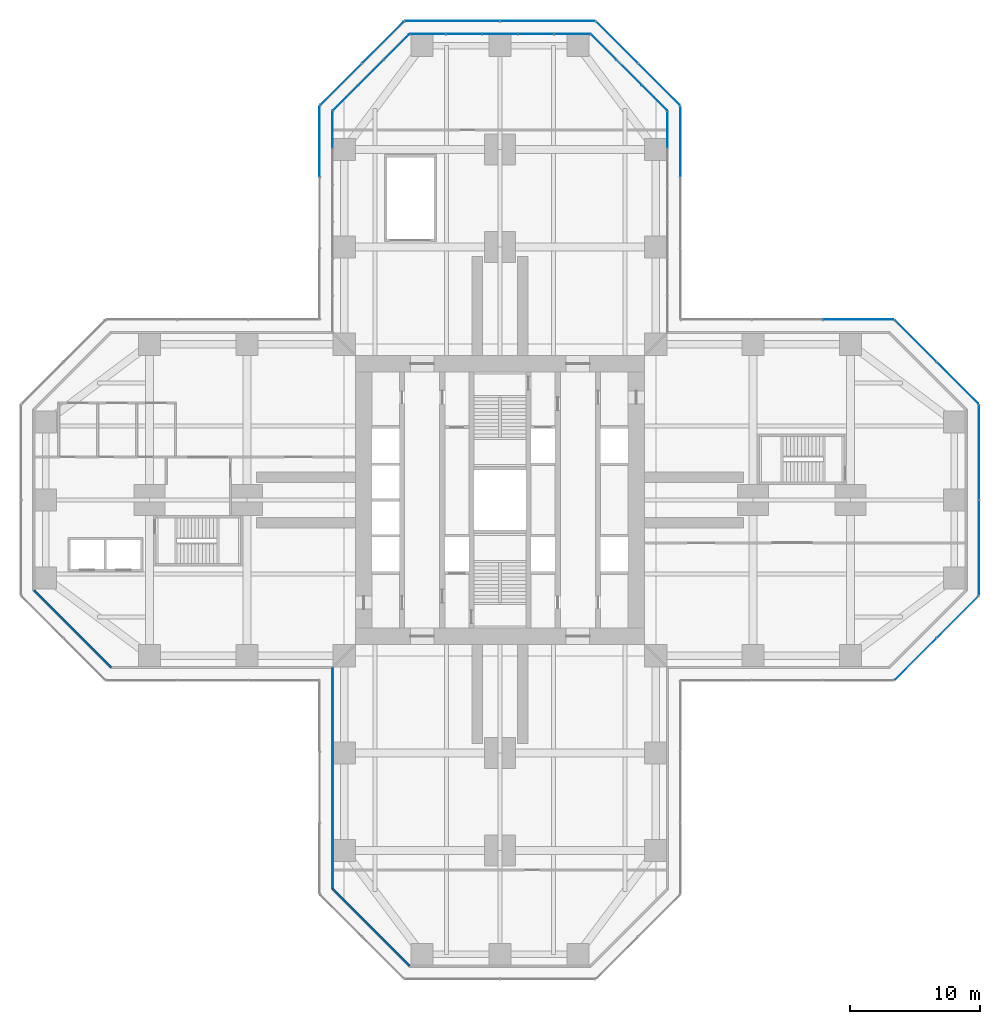
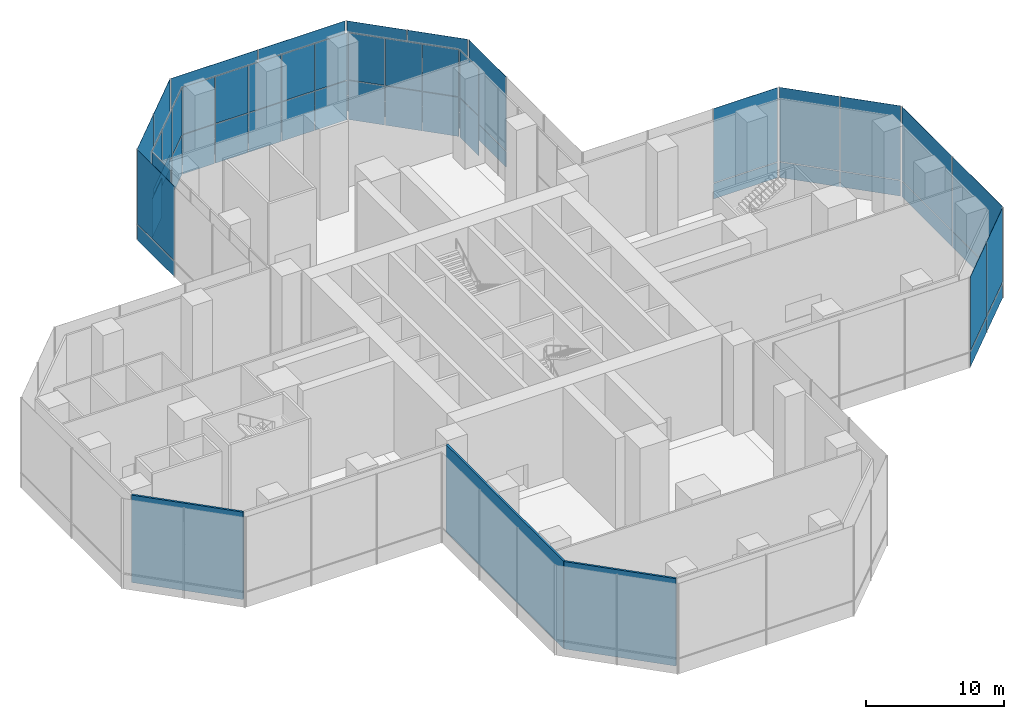
# One storey, part 16 of 25: 56 plates, 3 walls, 14 elements without a shape of their own.
"""IFC4 building model written with IfcOpenShell, lengths in metres."""

from ifc_helpers import new_model, si_unit, direction, frame, frame_2d, origin, origin_2d, place, context, subcontext, project, spatial, rectangle, extrude, material, layer, layer_set, type_object, element, aggregate, save


model = new_model("IFC4")

# Units and contexts
model_context = context("Model", 3, precision=1e-05, world=origin(), true_north=direction((0.0, 1.0)))
body_context = subcontext(model_context, "Body", "Model", "MODEL_VIEW")
ifc_project = project(units=[si_unit("LENGTHUNIT", "METRE"), si_unit("AREAUNIT", "SQUARE_METRE"), si_unit("VOLUMEUNIT", "CUBIC_METRE"), si_unit("PLANEANGLEUNIT", "RADIAN"), si_unit("MASSUNIT", "GRAM", prefix="KILO")], contexts=[model_context])

# Site, building, storey
site_placement = place(None, origin())
site = spatial("IfcSite", under=ifc_project, at=site_placement, CompositionType="ELEMENT")
building_placement = place(site_placement, origin())
building = spatial("IfcBuilding", under=site, at=building_placement, Name="Mizan Broadcast Tower", CompositionType="ELEMENT")
storey_placement = place(building_placement, frame((0.0, 0.0, 15.0)))
storey = spatial("IfcBuildingStorey", under=building, at=storey_placement, Name="L02", CompositionType="ELEMENT", Elevation=15.0)

# Curtain wall, plates
ifc_material_1 = material(Name="Aluminium framed glazing", Category="aluminium")
curtain_wall_type_1 = type_object("IfcCurtainWallType", Name="OUTER SKIN", PredefinedType="USERDEFINED", material=ifc_material_1)
curtain_wall_1_placement = place(storey_placement, origin())
curtain_wall_1 = element("IfcCurtainWall", 1, at=curtain_wall_1_placement, inside=storey, type_object=curtain_wall_type_1, Name="Outer skin L02 E chamfer", ObjectType="OUTER SKIN", PredefinedType="USERDEFINED")
ifc_material_2 = material(Name="Laminated clear glass", Category="glass")
ifc_layer_1 = layer(ifc_material_2, 0.02001953125)
ifc_layer_set_1 = layer_set([ifc_layer_1], Name="Laminated clear glass")
plate_type_1 = type_object("IfcPlateType", Name="OUTER SKIN CLEAR GLASS", PredefinedType="CURTAIN_PANEL", material=ifc_layer_set_1)
plate_1_placement = place(storey_placement, frame((32.018798828125, -12.254150390625, 0.0), z_axis=(0.0, 0.0, 1.0), x_axis=(0.707106781187, 0.707106781187, 0.0)))
plate_1 = element("IfcPlate", 2, at=plate_1_placement, type_object=plate_type_1, Name="Outer skin L02 E chamfer panel 1.1", PredefinedType="CURTAIN_PANEL", context=body_context, shape_type="SweptSolid", body=[
    extrude(rectangle(XDim=4.495361328125, YDim=0.02001953125, at=origin_2d()), origin(), (0.0, 0.0, 1.0), 1.3701171875),
])
plate_2_placement = place(storey_placement, frame((32.018798828125, -12.254150390625, 1.43017578125), z_axis=(0.0, 0.0, 1.0), x_axis=(0.707106781187, 0.707106781187, 0.0)))
plate_2 = element("IfcPlate", 3, at=plate_2_placement, type_object=plate_type_1, Name="Outer skin L02 E chamfer panel 1.2", PredefinedType="CURTAIN_PANEL", context=body_context, shape_type="SweptSolid", body=[
    extrude(rectangle(XDim=4.495361328125, YDim=0.02001953125, at=origin_2d()), origin(), (0.0, 0.0, 1.0), 6.570068359375),
])

curtain_wall_2_placement = place(storey_placement, origin())
curtain_wall_2 = element("IfcCurtainWall", 4, at=curtain_wall_2_placement, inside=storey, type_object=curtain_wall_type_1, Name="Outer skin L02 E end", ObjectType="OUTER SKIN", PredefinedType="USERDEFINED")
plate_3_placement = place(storey_placement, frame((36.89990234375, -3.66650390625, 0.0), z_axis=(0.0, 0.0, 1.0), x_axis=(0.0, 1.0, 0.0)))
plate_3 = element("IfcPlate", 5, at=plate_3_placement, type_object=plate_type_1, Name="Outer skin L02 E end panel 1.1", PredefinedType="CURTAIN_PANEL", context=body_context, shape_type="SweptSolid", body=[
    extrude(rectangle(XDim=7.252685546875, YDim=0.02001953125, at=origin_2d()), origin(), (0.0, 0.0, 1.0), 1.3701171875),
])
plate_4_placement = place(storey_placement, frame((36.89990234375, -3.66650390625, 1.43017578125), z_axis=(0.0, 0.0, 1.0), x_axis=(0.0, 1.0, 0.0)))
plate_4 = element("IfcPlate", 6, at=plate_4_placement, type_object=plate_type_1, Name="Outer skin L02 E end panel 1.2", PredefinedType="CURTAIN_PANEL", context=body_context, shape_type="SweptSolid", body=[
    extrude(rectangle(XDim=7.252685546875, YDim=0.02001953125, at=origin_2d()), origin(), (0.0, 0.0, 1.0), 6.570068359375),
])

curtain_wall_3_placement = place(storey_placement, origin())
curtain_wall_3 = element("IfcCurtainWall", 7, at=curtain_wall_3_placement, inside=storey, type_object=curtain_wall_type_1, Name="Outer skin L02 E chamfer", ObjectType="OUTER SKIN", PredefinedType="USERDEFINED")
plate_5_placement = place(storey_placement, frame((35.254150390625, 9.018798828125, 0.0), z_axis=(0.0, 0.0, 1.0), x_axis=(-0.707106781187, 0.707106781187, 0.0)))
plate_5 = element("IfcPlate", 8, at=plate_5_placement, type_object=plate_type_1, Name="Outer skin L02 E chamfer panel 1.1", PredefinedType="CURTAIN_PANEL", context=body_context, shape_type="SweptSolid", body=[
    extrude(rectangle(XDim=4.495361328125, YDim=0.02001953125, at=origin_2d()), origin(), (0.0, 0.0, 1.0), 1.3701171875),
])
plate_6_placement = place(storey_placement, frame((35.254150390625, 9.018798828125, 1.43017578125), z_axis=(0.0, 0.0, 1.0), x_axis=(-0.707106781187, 0.707106781187, 0.0)))
plate_6 = element("IfcPlate", 9, at=plate_6_placement, type_object=plate_type_1, Name="Outer skin L02 E chamfer panel 1.2", PredefinedType="CURTAIN_PANEL", context=body_context, shape_type="SweptSolid", body=[
    extrude(rectangle(XDim=4.495361328125, YDim=0.02001953125, at=origin_2d()), origin(), (0.0, 0.0, 1.0), 6.570068359375),
])

curtain_wall_4_placement = place(storey_placement, origin())
curtain_wall_4 = element("IfcCurtainWall", 10, at=curtain_wall_4_placement, inside=storey, type_object=curtain_wall_type_1, Name="Outer skin L02 E side", ObjectType="OUTER SKIN", PredefinedType="USERDEFINED")
plate_7_placement = place(storey_placement, frame((27.607421875, 13.89990234375, 0.0), z_axis=(0.0, 0.0, 1.0), x_axis=(-1.0, 0.0, 0.0)))
plate_7 = element("IfcPlate", 11, at=plate_7_placement, type_object=plate_type_1, Name="Outer skin L02 E side panel 1.1", PredefinedType="CURTAIN_PANEL", context=body_context, shape_type="SweptSolid", body=[
    extrude(rectangle(XDim=5.370849609375, YDim=0.02001953125, at=origin_2d()), origin(), (0.0, 0.0, 1.0), 1.3701171875),
])
plate_8_placement = place(storey_placement, frame((27.607421875, 13.89990234375, 1.43017578125), z_axis=(0.0, 0.0, 1.0), x_axis=(-1.0, 0.0, 0.0)))
plate_8 = element("IfcPlate", 12, at=plate_8_placement, type_object=plate_type_1, Name="Outer skin L02 E side panel 1.2", PredefinedType="CURTAIN_PANEL", context=body_context, shape_type="SweptSolid", body=[
    extrude(rectangle(XDim=5.370849609375, YDim=0.02001953125, at=origin_2d()), origin(), (0.0, 0.0, 1.0), 6.570068359375),
])
aggregate(curtain_wall_4, [plate_7, plate_8])

curtain_wall_5_placement = place(storey_placement, origin())
curtain_wall_5 = element("IfcCurtainWall", 13, at=curtain_wall_5_placement, inside=storey, type_object=curtain_wall_type_1, Name="Outer skin L02 N side", ObjectType="OUTER SKIN", PredefinedType="USERDEFINED")
plate_9_placement = place(storey_placement, frame((13.89990234375, 27.607421875, 0.0), z_axis=(0.0, 0.0, 1.0), x_axis=(0.0, 1.0, 0.0)))
plate_9 = element("IfcPlate", 14, at=plate_9_placement, type_object=plate_type_1, Name="Outer skin L02 N side panel 3.1", PredefinedType="CURTAIN_PANEL", context=body_context, shape_type="SweptSolid", body=[
    extrude(rectangle(XDim=5.370849609375, YDim=0.02001953125, at=origin_2d()), origin(), (0.0, 0.0, 1.0), 1.3701171875),
])
plate_10_placement = place(storey_placement, frame((13.89990234375, 27.607421875, 1.43017578125), z_axis=(0.0, 0.0, 1.0), x_axis=(0.0, 1.0, 0.0)))
plate_10 = element("IfcPlate", 15, at=plate_10_placement, type_object=plate_type_1, Name="Outer skin L02 N side panel 3.2", PredefinedType="CURTAIN_PANEL", context=body_context, shape_type="SweptSolid", body=[
    extrude(rectangle(XDim=5.370849609375, YDim=0.02001953125, at=origin_2d()), origin(), (0.0, 0.0, 1.0), 6.570068359375),
])
aggregate(curtain_wall_5, [plate_9, plate_10])

curtain_wall_6_placement = place(storey_placement, origin())
curtain_wall_6 = element("IfcCurtainWall", 16, at=curtain_wall_6_placement, inside=storey, type_object=curtain_wall_type_1, Name="Outer skin L02 N chamfer", ObjectType="OUTER SKIN", PredefinedType="USERDEFINED")
plate_11_placement = place(storey_placement, frame((12.254150390625, 32.018798828125, 0.0), z_axis=(0.0, 0.0, 1.0), x_axis=(-0.707106781187, 0.707106781187, 0.0)))
plate_11 = element("IfcPlate", 17, at=plate_11_placement, type_object=plate_type_1, Name="Outer skin L02 N chamfer panel 1.1", PredefinedType="CURTAIN_PANEL", context=body_context, shape_type="SweptSolid", body=[
    extrude(rectangle(XDim=4.495361328125, YDim=0.02001953125, at=origin_2d()), origin(), (0.0, 0.0, 1.0), 1.3701171875),
])
plate_12_placement = place(storey_placement, frame((12.254150390625, 32.018798828125, 1.43017578125), z_axis=(0.0, 0.0, 1.0), x_axis=(-0.707106781187, 0.707106781187, 0.0)))
plate_12 = element("IfcPlate", 18, at=plate_12_placement, type_object=plate_type_1, Name="Outer skin L02 N chamfer panel 1.2", PredefinedType="CURTAIN_PANEL", context=body_context, shape_type="SweptSolid", body=[
    extrude(rectangle(XDim=4.495361328125, YDim=0.02001953125, at=origin_2d()), origin(), (0.0, 0.0, 1.0), 6.570068359375),
])

curtain_wall_7_placement = place(storey_placement, origin())
curtain_wall_7 = element("IfcCurtainWall", 19, at=curtain_wall_7_placement, inside=storey, type_object=curtain_wall_type_1, Name="Outer skin L02 N end", ObjectType="OUTER SKIN", PredefinedType="USERDEFINED")
plate_13_placement = place(storey_placement, frame((3.66650390625, 36.89990234375, 0.0), z_axis=(0.0, 0.0, 1.0), x_axis=(-1.0, 0.0, 0.0)))
plate_13 = element("IfcPlate", 20, at=plate_13_placement, type_object=plate_type_1, Name="Outer skin L02 N end panel 1.1", PredefinedType="CURTAIN_PANEL", context=body_context, shape_type="SweptSolid", body=[
    extrude(rectangle(XDim=7.252685546875, YDim=0.02001953125, at=origin_2d()), origin(), (0.0, 0.0, 1.0), 1.3701171875),
])
plate_14_placement = place(storey_placement, frame((3.66650390625, 36.89990234375, 1.43017578125), z_axis=(0.0, 0.0, 1.0), x_axis=(-1.0, 0.0, 0.0)))
plate_14 = element("IfcPlate", 21, at=plate_14_placement, type_object=plate_type_1, Name="Outer skin L02 N end panel 1.2", PredefinedType="CURTAIN_PANEL", context=body_context, shape_type="SweptSolid", body=[
    extrude(rectangle(XDim=7.252685546875, YDim=0.02001953125, at=origin_2d()), origin(), (0.0, 0.0, 1.0), 6.570068359375),
])
plate_15_placement = place(storey_placement, frame((-3.66650390625, 36.89990234375, 0.0), z_axis=(0.0, 0.0, 1.0), x_axis=(-1.0, 0.0, 0.0)))
plate_15 = element("IfcPlate", 22, at=plate_15_placement, type_object=plate_type_1, Name="Outer skin L02 N end panel 2.1", PredefinedType="CURTAIN_PANEL", context=body_context, shape_type="SweptSolid", body=[
    extrude(rectangle(XDim=7.252685546875, YDim=0.02001953125, at=origin_2d()), origin(), (0.0, 0.0, 1.0), 1.3701171875),
])
plate_16_placement = place(storey_placement, frame((-3.66650390625, 36.89990234375, 1.43017578125), z_axis=(0.0, 0.0, 1.0), x_axis=(-1.0, 0.0, 0.0)))
plate_16 = element("IfcPlate", 23, at=plate_16_placement, type_object=plate_type_1, Name="Outer skin L02 N end panel 2.2", PredefinedType="CURTAIN_PANEL", context=body_context, shape_type="SweptSolid", body=[
    extrude(rectangle(XDim=7.252685546875, YDim=0.02001953125, at=origin_2d()), origin(), (0.0, 0.0, 1.0), 6.570068359375),
])
aggregate(curtain_wall_7, [plate_13, plate_14, plate_15, plate_16])

curtain_wall_8_placement = place(storey_placement, origin())
curtain_wall_8 = element("IfcCurtainWall", 24, at=curtain_wall_8_placement, inside=storey, type_object=curtain_wall_type_1, Name="Outer skin L02 N chamfer", ObjectType="OUTER SKIN", PredefinedType="USERDEFINED")
plate_17_placement = place(storey_placement, frame((-9.018798828125, 35.254150390625, 0.0), z_axis=(0.0, 0.0, 1.0), x_axis=(-0.707106781187, -0.707106781187, 0.0)))
plate_17 = element("IfcPlate", 25, at=plate_17_placement, type_object=plate_type_1, Name="Outer skin L02 N chamfer panel 1.1", PredefinedType="CURTAIN_PANEL", context=body_context, shape_type="SweptSolid", body=[
    extrude(rectangle(XDim=4.495361328125, YDim=0.02001953125, at=origin_2d()), origin(), (0.0, 0.0, 1.0), 1.3701171875),
])
plate_18_placement = place(storey_placement, frame((-9.018798828125, 35.254150390625, 1.43017578125), z_axis=(0.0, 0.0, 1.0), x_axis=(-0.707106781187, -0.707106781187, 0.0)))
plate_18 = element("IfcPlate", 26, at=plate_18_placement, type_object=plate_type_1, Name="Outer skin L02 N chamfer panel 1.2", PredefinedType="CURTAIN_PANEL", context=body_context, shape_type="SweptSolid", body=[
    extrude(rectangle(XDim=4.495361328125, YDim=0.02001953125, at=origin_2d()), origin(), (0.0, 0.0, 1.0), 6.570068359375),
])

curtain_wall_9_placement = place(storey_placement, origin())
curtain_wall_9 = element("IfcCurtainWall", 27, at=curtain_wall_9_placement, inside=storey, type_object=curtain_wall_type_1, Name="Outer skin L02 N side", ObjectType="OUTER SKIN", PredefinedType="USERDEFINED")
plate_19_placement = place(storey_placement, frame((-13.89990234375, 27.607421875, 0.0), z_axis=(0.0, 0.0, 1.0), x_axis=(0.0, -1.0, 0.0)))
plate_19 = element("IfcPlate", 28, at=plate_19_placement, type_object=plate_type_1, Name="Outer skin L02 N side panel 1.1", PredefinedType="CURTAIN_PANEL", context=body_context, shape_type="SweptSolid", body=[
    extrude(rectangle(XDim=5.370849609375, YDim=0.02001953125, at=origin_2d()), origin(), (0.0, 0.0, 1.0), 1.3701171875),
])
plate_20_placement = place(storey_placement, frame((-13.89990234375, 27.607421875, 1.43017578125), z_axis=(0.0, 0.0, 1.0), x_axis=(0.0, -1.0, 0.0)))
plate_20 = element("IfcPlate", 29, at=plate_20_placement, type_object=plate_type_1, Name="Outer skin L02 N side panel 1.2", PredefinedType="CURTAIN_PANEL", context=body_context, shape_type="SweptSolid", body=[
    extrude(rectangle(XDim=5.370849609375, YDim=0.02001953125, at=origin_2d()), origin(), (0.0, 0.0, 1.0), 6.570068359375),
])
aggregate(curtain_wall_9, [plate_19, plate_20])

# Plate
ifc_material_3 = material(Name="Perforated aluminium, pale anodised", Category="aluminium")
ifc_layer_2 = layer(ifc_material_3, 0.011962890625)
ifc_layer_set_2 = layer_set([ifc_layer_2], Name="Perforated aluminium, pale anodised")
plate_type_2 = type_object("IfcPlateType", Name="OUTER SKIN PERFORATED SCREEN", PredefinedType="USERDEFINED", material=ifc_layer_set_2)
plate_21_placement = place(storey_placement, frame((35.254150390625, -9.018798828125, 0.0), z_axis=(0.0, 0.0, 1.0), x_axis=(0.707106781187, 0.707106781187, 0.0)))
plate_21 = element("IfcPlate", 30, at=plate_21_placement, type_object=plate_type_2, Name="Outer skin L02 E chamfer panel 2.1", ObjectType="SCREEN", PredefinedType="USERDEFINED", context=body_context, shape_type="SweptSolid", body=[
    extrude(rectangle(XDim=4.495361328125, YDim=0.011962890625, at=origin_2d()), origin(), (0.0, 0.0, 1.0), 1.3701171875),
])

plate_22_placement = place(storey_placement, frame((35.254150390625, -9.018798828125, 1.43017578125), z_axis=(0.0, 0.0, 1.0), x_axis=(0.707106781187, 0.707106781187, 0.0)))
plate_22 = element("IfcPlate", 31, at=plate_22_placement, type_object=plate_type_2, Name="Outer skin L02 E chamfer panel 2.2", ObjectType="SCREEN", PredefinedType="USERDEFINED", context=body_context, shape_type="SweptSolid", body=[
    extrude(rectangle(XDim=4.495361328125, YDim=0.011962890625, at=origin_2d()), origin(), (0.0, 0.0, 1.0), 6.570068359375),
])

aggregate(curtain_wall_1, [plate_1, plate_2, plate_21, plate_22])

plate_23_placement = place(storey_placement, frame((36.89990234375, 3.66650390625, 0.0), z_axis=(0.0, 0.0, 1.0), x_axis=(0.0, 1.0, 0.0)))
plate_23 = element("IfcPlate", 32, at=plate_23_placement, type_object=plate_type_2, Name="Outer skin L02 E end panel 2.1", ObjectType="SCREEN", PredefinedType="USERDEFINED", context=body_context, shape_type="SweptSolid", body=[
    extrude(rectangle(XDim=7.252685546875, YDim=0.011962890625, at=origin_2d()), origin(), (0.0, 0.0, 1.0), 1.3701171875),
])

plate_24_placement = place(storey_placement, frame((36.89990234375, 3.66650390625, 1.43017578125), z_axis=(0.0, 0.0, 1.0), x_axis=(0.0, 1.0, 0.0)))
plate_24 = element("IfcPlate", 33, at=plate_24_placement, type_object=plate_type_2, Name="Outer skin L02 E end panel 2.2", ObjectType="SCREEN", PredefinedType="USERDEFINED", context=body_context, shape_type="SweptSolid", body=[
    extrude(rectangle(XDim=7.252685546875, YDim=0.011962890625, at=origin_2d()), origin(), (0.0, 0.0, 1.0), 6.570068359375),
])

aggregate(curtain_wall_2, [plate_3, plate_4, plate_23, plate_24])

plate_25_placement = place(storey_placement, frame((32.018798828125, 12.254150390625, 0.0), z_axis=(0.0, 0.0, 1.0), x_axis=(-0.707106781187, 0.707106781187, 0.0)))
plate_25 = element("IfcPlate", 34, at=plate_25_placement, type_object=plate_type_2, Name="Outer skin L02 E chamfer panel 2.1", ObjectType="SCREEN", PredefinedType="USERDEFINED", context=body_context, shape_type="SweptSolid", body=[
    extrude(rectangle(XDim=4.495361328125, YDim=0.011962890625, at=origin_2d()), origin(), (0.0, 0.0, 1.0), 1.3701171875),
])

plate_26_placement = place(storey_placement, frame((32.018798828125, 12.254150390625, 1.43017578125), z_axis=(0.0, 0.0, 1.0), x_axis=(-0.707106781187, 0.707106781187, 0.0)))
plate_26 = element("IfcPlate", 35, at=plate_26_placement, type_object=plate_type_2, Name="Outer skin L02 E chamfer panel 2.2", ObjectType="SCREEN", PredefinedType="USERDEFINED", context=body_context, shape_type="SweptSolid", body=[
    extrude(rectangle(XDim=4.495361328125, YDim=0.011962890625, at=origin_2d()), origin(), (0.0, 0.0, 1.0), 6.570068359375),
])

aggregate(curtain_wall_3, [plate_5, plate_6, plate_25, plate_26])

plate_27_placement = place(storey_placement, frame((9.018798828125, 35.254150390625, 0.0), z_axis=(0.0, 0.0, 1.0), x_axis=(-0.707106781187, 0.707106781187, 0.0)))
plate_27 = element("IfcPlate", 36, at=plate_27_placement, type_object=plate_type_2, Name="Outer skin L02 N chamfer panel 2.1", ObjectType="SCREEN", PredefinedType="USERDEFINED", context=body_context, shape_type="SweptSolid", body=[
    extrude(rectangle(XDim=4.495361328125, YDim=0.011962890625, at=origin_2d()), origin(), (0.0, 0.0, 1.0), 1.3701171875),
])

plate_28_placement = place(storey_placement, frame((9.018798828125, 35.254150390625, 1.43017578125), z_axis=(0.0, 0.0, 1.0), x_axis=(-0.707106781187, 0.707106781187, 0.0)))
plate_28 = element("IfcPlate", 37, at=plate_28_placement, type_object=plate_type_2, Name="Outer skin L02 N chamfer panel 2.2", ObjectType="SCREEN", PredefinedType="USERDEFINED", context=body_context, shape_type="SweptSolid", body=[
    extrude(rectangle(XDim=4.495361328125, YDim=0.011962890625, at=origin_2d()), origin(), (0.0, 0.0, 1.0), 6.570068359375),
])

aggregate(curtain_wall_6, [plate_11, plate_12, plate_27, plate_28])

plate_29_placement = place(storey_placement, frame((-12.254150390625, 32.018798828125, 0.0), z_axis=(0.0, 0.0, 1.0), x_axis=(-0.707106781187, -0.707106781187, 0.0)))
plate_29 = element("IfcPlate", 38, at=plate_29_placement, type_object=plate_type_2, Name="Outer skin L02 N chamfer panel 2.1", ObjectType="SCREEN", PredefinedType="USERDEFINED", context=body_context, shape_type="SweptSolid", body=[
    extrude(rectangle(XDim=4.495361328125, YDim=0.011962890625, at=origin_2d()), origin(), (0.0, 0.0, 1.0), 1.3701171875),
])

plate_30_placement = place(storey_placement, frame((-12.254150390625, 32.018798828125, 1.43017578125), z_axis=(0.0, 0.0, 1.0), x_axis=(-0.707106781187, -0.707106781187, 0.0)))
plate_30 = element("IfcPlate", 39, at=plate_30_placement, type_object=plate_type_2, Name="Outer skin L02 N chamfer panel 2.2", ObjectType="SCREEN", PredefinedType="USERDEFINED", context=body_context, shape_type="SweptSolid", body=[
    extrude(rectangle(XDim=4.495361328125, YDim=0.011962890625, at=origin_2d()), origin(), (0.0, 0.0, 1.0), 6.570068359375),
])

aggregate(curtain_wall_8, [plate_17, plate_18, plate_29, plate_30])

# Curtain wall, plates
ifc_material_4 = material(Name="Aluminium framed glazing", Category="aluminium")
curtain_wall_type_2 = type_object("IfcCurtainWallType", Name="PODIUM CURTAIN WALL", PredefinedType="USERDEFINED", material=ifc_material_4)
curtain_wall_10_placement = place(storey_placement, origin())
curtain_wall_10 = element("IfcCurtainWall", 40, at=curtain_wall_10_placement, inside=storey, type_object=curtain_wall_type_2, Name="Podium curtain wall L02 N side", ObjectType="PODIUM CURTAIN WALL", PredefinedType="USERDEFINED")
ifc_material_5 = material(Name="Double glazing, clear laminated", Category="glass")
ifc_layer_3 = layer(ifc_material_5, 0.031982421875)
ifc_layer_set_3 = layer_set([ifc_layer_3], Name="Double glazing, clear laminated")
plate_type_3 = type_object("IfcPlateType", Name="PODIUM GLAZING UNIT", PredefinedType="CURTAIN_PANEL", material=ifc_layer_set_3)
plate_31_placement = place(storey_placement, frame((12.89990234375, 28.52197265625, 0.0), z_axis=(0.0, 0.0, 1.0), x_axis=(0.0, 1.0, 0.0)))
plate_31 = element("IfcPlate", 41, at=plate_31_placement, type_object=plate_type_3, Name="Podium curtain wall L02 N side panel 6.1", PredefinedType="CURTAIN_PANEL", context=body_context, shape_type="SweptSolid", body=[
    extrude(rectangle(XDim=2.753173828125, YDim=0.031982421875, at=origin_2d()), origin(), (0.0, 0.0, 1.0), 3.469970703125),
])
plate_32_placement = place(storey_placement, frame((12.89990234375, 28.52197265625, 3.5302734375), z_axis=(0.0, 0.0, 1.0), x_axis=(0.0, 1.0, 0.0)))
plate_32 = element("IfcPlate", 42, at=plate_32_placement, type_object=plate_type_3, Name="Podium curtain wall L02 N side panel 6.2", PredefinedType="CURTAIN_PANEL", context=body_context, shape_type="SweptSolid", body=[
    extrude(rectangle(XDim=2.753173828125, YDim=0.031982421875, at=origin_2d()), origin(), (0.0, 0.0, 1.0), 4.159912109375),
])
aggregate(curtain_wall_10, [plate_31, plate_32])

curtain_wall_11_placement = place(storey_placement, origin())
curtain_wall_11 = element("IfcCurtainWall", 43, at=curtain_wall_11_placement, inside=storey, type_object=curtain_wall_type_2, Name="Podium curtain wall L02 N chamfer", ObjectType="PODIUM CURTAIN WALL", PredefinedType="USERDEFINED")
plate_33_placement = place(storey_placement, frame((11.899169921875, 30.95947265625, 0.0), z_axis=(0.0, 0.0, 1.0), x_axis=(-0.707106781187, 0.707106781187, 0.0)))
plate_33 = element("IfcPlate", 44, at=plate_33_placement, type_object=plate_type_3, Name="Podium curtain wall L02 N chamfer panel 1.1", PredefinedType="CURTAIN_PANEL", context=body_context, shape_type="SweptSolid", body=[
    extrude(rectangle(XDim=2.710693359375, YDim=0.031982421875, at=origin_2d()), origin(), (0.0, 0.0, 1.0), 3.469970703125),
])
plate_34_placement = place(storey_placement, frame((11.899169921875, 30.95947265625, 3.5302734375), z_axis=(0.0, 0.0, 1.0), x_axis=(-0.707106781187, 0.707106781187, 0.0)))
plate_34 = element("IfcPlate", 45, at=plate_34_placement, type_object=plate_type_3, Name="Podium curtain wall L02 N chamfer panel 1.2", PredefinedType="CURTAIN_PANEL", context=body_context, shape_type="SweptSolid", body=[
    extrude(rectangle(XDim=2.710693359375, YDim=0.031982421875, at=origin_2d()), origin(), (0.0, 0.0, 1.0), 4.159912109375),
])
plate_35_placement = place(storey_placement, frame((9.92919921875, 32.92919921875, 0.0), z_axis=(0.0, 0.0, 1.0), x_axis=(-0.707106781187, 0.707106781187, 0.0)))
plate_35 = element("IfcPlate", 46, at=plate_35_placement, type_object=plate_type_3, Name="Podium curtain wall L02 N chamfer panel 2.1", PredefinedType="CURTAIN_PANEL", context=body_context, shape_type="SweptSolid", body=[
    extrude(rectangle(XDim=2.74072265625, YDim=0.031982421875, at=origin_2d()), origin(), (0.0, 0.0, 1.0), 3.469970703125),
])
plate_36_placement = place(storey_placement, frame((9.92919921875, 32.92919921875, 3.5302734375), z_axis=(0.0, 0.0, 1.0), x_axis=(-0.707106781187, 0.707106781187, 0.0)))
plate_36 = element("IfcPlate", 47, at=plate_36_placement, type_object=plate_type_3, Name="Podium curtain wall L02 N chamfer panel 2.2", PredefinedType="CURTAIN_PANEL", context=body_context, shape_type="SweptSolid", body=[
    extrude(rectangle(XDim=2.74072265625, YDim=0.031982421875, at=origin_2d()), origin(), (0.0, 0.0, 1.0), 4.159912109375),
])
plate_37_placement = place(storey_placement, frame((7.95947265625, 34.899169921875, 0.0), z_axis=(0.0, 0.0, 1.0), x_axis=(-0.707106781187, 0.707106781187, 0.0)))
plate_37 = element("IfcPlate", 48, at=plate_37_placement, type_object=plate_type_3, Name="Podium curtain wall L02 N chamfer panel 3.1", PredefinedType="CURTAIN_PANEL", context=body_context, shape_type="SweptSolid", body=[
    extrude(rectangle(XDim=2.710693359375, YDim=0.031982421875, at=origin_2d()), origin(), (0.0, 0.0, 1.0), 3.469970703125),
])
plate_38_placement = place(storey_placement, frame((7.95947265625, 34.899169921875, 3.5302734375), z_axis=(0.0, 0.0, 1.0), x_axis=(-0.707106781187, 0.707106781187, 0.0)))
plate_38 = element("IfcPlate", 49, at=plate_38_placement, type_object=plate_type_3, Name="Podium curtain wall L02 N chamfer panel 3.2", PredefinedType="CURTAIN_PANEL", context=body_context, shape_type="SweptSolid", body=[
    extrude(rectangle(XDim=2.710693359375, YDim=0.031982421875, at=origin_2d()), origin(), (0.0, 0.0, 1.0), 4.159912109375),
])
aggregate(curtain_wall_11, [plate_33, plate_34, plate_35, plate_36, plate_37, plate_38])

curtain_wall_12_placement = place(storey_placement, origin())
curtain_wall_12 = element("IfcCurtainWall", 50, at=curtain_wall_12_placement, inside=storey, type_object=curtain_wall_type_2, Name="Podium curtain wall L02 N end", ObjectType="PODIUM CURTAIN WALL", PredefinedType="USERDEFINED")
plate_39_placement = place(storey_placement, frame((5.5517578125, 35.89990234375, 0.0), z_axis=(0.0, 0.0, 1.0), x_axis=(-1.0, 0.0, 0.0)))
plate_39 = element("IfcPlate", 51, at=plate_39_placement, type_object=plate_type_3, Name="Podium curtain wall L02 N end panel 1.1", PredefinedType="CURTAIN_PANEL", context=body_context, shape_type="SweptSolid", body=[
    extrude(rectangle(XDim=2.693359375, YDim=0.031982421875, at=origin_2d()), origin(), (0.0, 0.0, 1.0), 3.469970703125),
])
plate_40_placement = place(storey_placement, frame((5.5517578125, 35.89990234375, 3.5302734375), z_axis=(0.0, 0.0, 1.0), x_axis=(-1.0, 0.0, 0.0)))
plate_40 = element("IfcPlate", 52, at=plate_40_placement, type_object=plate_type_3, Name="Podium curtain wall L02 N end panel 1.2", PredefinedType="CURTAIN_PANEL", context=body_context, shape_type="SweptSolid", body=[
    extrude(rectangle(XDim=2.693359375, YDim=0.031982421875, at=origin_2d()), origin(), (0.0, 0.0, 1.0), 4.159912109375),
])
plate_41_placement = place(storey_placement, frame((2.783447265625, 35.89990234375, 0.0), z_axis=(0.0, 0.0, 1.0), x_axis=(-1.0, 0.0, 0.0)))
plate_41 = element("IfcPlate", 53, at=plate_41_placement, type_object=plate_type_3, Name="Podium curtain wall L02 N end panel 2.1", PredefinedType="CURTAIN_PANEL", context=body_context, shape_type="SweptSolid", body=[
    extrude(rectangle(XDim=2.723388671875, YDim=0.031982421875, at=origin_2d()), origin(), (0.0, 0.0, 1.0), 3.469970703125),
])
plate_42_placement = place(storey_placement, frame((2.783447265625, 35.89990234375, 3.5302734375), z_axis=(0.0, 0.0, 1.0), x_axis=(-1.0, 0.0, 0.0)))
plate_42 = element("IfcPlate", 54, at=plate_42_placement, type_object=plate_type_3, Name="Podium curtain wall L02 N end panel 2.2", PredefinedType="CURTAIN_PANEL", context=body_context, shape_type="SweptSolid", body=[
    extrude(rectangle(XDim=2.723388671875, YDim=0.031982421875, at=origin_2d()), origin(), (0.0, 0.0, 1.0), 4.159912109375),
])
plate_43_placement = place(storey_placement, frame((0.0, 35.89990234375, 0.0), z_axis=(0.0, 0.0, 1.0), x_axis=(-1.0, 0.0, 0.0)))
plate_43 = element("IfcPlate", 55, at=plate_43_placement, type_object=plate_type_3, Name="Podium curtain wall L02 N end panel 3.1", PredefinedType="CURTAIN_PANEL", context=body_context, shape_type="SweptSolid", body=[
    extrude(rectangle(XDim=2.723388671875, YDim=0.031982421875, at=origin_2d()), origin(), (0.0, 0.0, 1.0), 3.469970703125),
])
plate_44_placement = place(storey_placement, frame((0.0, 35.89990234375, 3.5302734375), z_axis=(0.0, 0.0, 1.0), x_axis=(-1.0, 0.0, 0.0)))
plate_44 = element("IfcPlate", 56, at=plate_44_placement, type_object=plate_type_3, Name="Podium curtain wall L02 N end panel 3.2", PredefinedType="CURTAIN_PANEL", context=body_context, shape_type="SweptSolid", body=[
    extrude(rectangle(XDim=2.723388671875, YDim=0.031982421875, at=origin_2d()), origin(), (0.0, 0.0, 1.0), 4.159912109375),
])
plate_45_placement = place(storey_placement, frame((-2.783447265625, 35.89990234375, 0.0), z_axis=(0.0, 0.0, 1.0), x_axis=(-1.0, 0.0, 0.0)))
plate_45 = element("IfcPlate", 57, at=plate_45_placement, type_object=plate_type_3, Name="Podium curtain wall L02 N end panel 4.1", PredefinedType="CURTAIN_PANEL", context=body_context, shape_type="SweptSolid", body=[
    extrude(rectangle(XDim=2.723388671875, YDim=0.031982421875, at=origin_2d()), origin(), (0.0, 0.0, 1.0), 3.469970703125),
])
plate_46_placement = place(storey_placement, frame((-2.783447265625, 35.89990234375, 3.5302734375), z_axis=(0.0, 0.0, 1.0), x_axis=(-1.0, 0.0, 0.0)))
plate_46 = element("IfcPlate", 58, at=plate_46_placement, type_object=plate_type_3, Name="Podium curtain wall L02 N end panel 4.2", PredefinedType="CURTAIN_PANEL", context=body_context, shape_type="SweptSolid", body=[
    extrude(rectangle(XDim=2.723388671875, YDim=0.031982421875, at=origin_2d()), origin(), (0.0, 0.0, 1.0), 4.159912109375),
])
plate_47_placement = place(storey_placement, frame((-5.5517578125, 35.89990234375, 0.0), z_axis=(0.0, 0.0, 1.0), x_axis=(-1.0, 0.0, 0.0)))
plate_47 = element("IfcPlate", 59, at=plate_47_placement, type_object=plate_type_3, Name="Podium curtain wall L02 N end panel 5.1", PredefinedType="CURTAIN_PANEL", context=body_context, shape_type="SweptSolid", body=[
    extrude(rectangle(XDim=2.693359375, YDim=0.031982421875, at=origin_2d()), origin(), (0.0, 0.0, 1.0), 3.469970703125),
])
plate_48_placement = place(storey_placement, frame((-5.5517578125, 35.89990234375, 3.5302734375), z_axis=(0.0, 0.0, 1.0), x_axis=(-1.0, 0.0, 0.0)))
plate_48 = element("IfcPlate", 60, at=plate_48_placement, type_object=plate_type_3, Name="Podium curtain wall L02 N end panel 5.2", PredefinedType="CURTAIN_PANEL", context=body_context, shape_type="SweptSolid", body=[
    extrude(rectangle(XDim=2.693359375, YDim=0.031982421875, at=origin_2d()), origin(), (0.0, 0.0, 1.0), 4.159912109375),
])
aggregate(curtain_wall_12, [plate_39, plate_40, plate_41, plate_42, plate_43, plate_44, plate_45, plate_46, plate_47, plate_48])

curtain_wall_13_placement = place(storey_placement, origin())
curtain_wall_13 = element("IfcCurtainWall", 61, at=curtain_wall_13_placement, inside=storey, type_object=curtain_wall_type_2, Name="Podium curtain wall L02 N chamfer", ObjectType="PODIUM CURTAIN WALL", PredefinedType="USERDEFINED")
plate_49_placement = place(storey_placement, frame((-7.95947265625, 34.899169921875, 0.0), z_axis=(0.0, 0.0, 1.0), x_axis=(-0.707106781187, -0.707106781187, 0.0)))
plate_49 = element("IfcPlate", 62, at=plate_49_placement, type_object=plate_type_3, Name="Podium curtain wall L02 N chamfer panel 1.1", PredefinedType="CURTAIN_PANEL", context=body_context, shape_type="SweptSolid", body=[
    extrude(rectangle(XDim=2.710693359375, YDim=0.031982421875, at=origin_2d()), origin(), (0.0, 0.0, 1.0), 3.469970703125),
])
plate_50_placement = place(storey_placement, frame((-7.95947265625, 34.899169921875, 3.5302734375), z_axis=(0.0, 0.0, 1.0), x_axis=(-0.707106781187, -0.707106781187, 0.0)))
plate_50 = element("IfcPlate", 63, at=plate_50_placement, type_object=plate_type_3, Name="Podium curtain wall L02 N chamfer panel 1.2", PredefinedType="CURTAIN_PANEL", context=body_context, shape_type="SweptSolid", body=[
    extrude(rectangle(XDim=2.710693359375, YDim=0.031982421875, at=origin_2d()), origin(), (0.0, 0.0, 1.0), 4.159912109375),
])
plate_51_placement = place(storey_placement, frame((-9.92919921875, 32.92919921875, 0.0), z_axis=(0.0, 0.0, 1.0), x_axis=(-0.707106781187, -0.707106781187, 0.0)))
plate_51 = element("IfcPlate", 64, at=plate_51_placement, type_object=plate_type_3, Name="Podium curtain wall L02 N chamfer panel 2.1", PredefinedType="CURTAIN_PANEL", context=body_context, shape_type="SweptSolid", body=[
    extrude(rectangle(XDim=2.74072265625, YDim=0.031982421875, at=origin_2d()), origin(), (0.0, 0.0, 1.0), 3.469970703125),
])
plate_52_placement = place(storey_placement, frame((-9.92919921875, 32.92919921875, 3.5302734375), z_axis=(0.0, 0.0, 1.0), x_axis=(-0.707106781187, -0.707106781187, 0.0)))
plate_52 = element("IfcPlate", 65, at=plate_52_placement, type_object=plate_type_3, Name="Podium curtain wall L02 N chamfer panel 2.2", PredefinedType="CURTAIN_PANEL", context=body_context, shape_type="SweptSolid", body=[
    extrude(rectangle(XDim=2.74072265625, YDim=0.031982421875, at=origin_2d()), origin(), (0.0, 0.0, 1.0), 4.159912109375),
])
plate_53_placement = place(storey_placement, frame((-11.899169921875, 30.95947265625, 0.0), z_axis=(0.0, 0.0, 1.0), x_axis=(-0.707106781187, -0.707106781187, 0.0)))
plate_53 = element("IfcPlate", 66, at=plate_53_placement, type_object=plate_type_3, Name="Podium curtain wall L02 N chamfer panel 3.1", PredefinedType="CURTAIN_PANEL", context=body_context, shape_type="SweptSolid", body=[
    extrude(rectangle(XDim=2.710693359375, YDim=0.031982421875, at=origin_2d()), origin(), (0.0, 0.0, 1.0), 3.469970703125),
])
plate_54_placement = place(storey_placement, frame((-11.899169921875, 30.95947265625, 3.5302734375), z_axis=(0.0, 0.0, 1.0), x_axis=(-0.707106781187, -0.707106781187, 0.0)))
plate_54 = element("IfcPlate", 67, at=plate_54_placement, type_object=plate_type_3, Name="Podium curtain wall L02 N chamfer panel 3.2", PredefinedType="CURTAIN_PANEL", context=body_context, shape_type="SweptSolid", body=[
    extrude(rectangle(XDim=2.710693359375, YDim=0.031982421875, at=origin_2d()), origin(), (0.0, 0.0, 1.0), 4.159912109375),
])
aggregate(curtain_wall_13, [plate_49, plate_50, plate_51, plate_52, plate_53, plate_54])

curtain_wall_14_placement = place(storey_placement, origin())
curtain_wall_14 = element("IfcCurtainWall", 68, at=curtain_wall_14_placement, inside=storey, type_object=curtain_wall_type_2, Name="Podium curtain wall L02 N side", ObjectType="PODIUM CURTAIN WALL", PredefinedType="USERDEFINED")
plate_55_placement = place(storey_placement, frame((-12.89990234375, 28.52197265625, 0.0), z_axis=(0.0, 0.0, 1.0), x_axis=(0.0, -1.0, 0.0)))
plate_55 = element("IfcPlate", 69, at=plate_55_placement, type_object=plate_type_3, Name="Podium curtain wall L02 N side panel 1.1", PredefinedType="CURTAIN_PANEL", context=body_context, shape_type="SweptSolid", body=[
    extrude(rectangle(XDim=2.753173828125, YDim=0.031982421875, at=origin_2d()), origin(), (0.0, 0.0, 1.0), 3.469970703125),
])
plate_56_placement = place(storey_placement, frame((-12.89990234375, 28.52197265625, 3.5302734375), z_axis=(0.0, 0.0, 1.0), x_axis=(0.0, -1.0, 0.0)))
plate_56 = element("IfcPlate", 70, at=plate_56_placement, type_object=plate_type_3, Name="Podium curtain wall L02 N side panel 1.2", PredefinedType="CURTAIN_PANEL", context=body_context, shape_type="SweptSolid", body=[
    extrude(rectangle(XDim=2.753173828125, YDim=0.031982421875, at=origin_2d()), origin(), (0.0, 0.0, 1.0), 4.159912109375),
])
aggregate(curtain_wall_14, [plate_55, plate_56])

# Walls
ifc_material_6 = material(Name="Insulated aluminium panel wall", Category="aluminium")
ifc_layer_4 = layer(ifc_material_6, 0.159912109375)
ifc_layer_set_4 = layer_set([ifc_layer_4], Name="Insulated aluminium panel wall")
wall_type = type_object("IfcWallType", Name="STUDIO CLADDING WALL 160", PredefinedType="SOLIDWALL", material=ifc_layer_set_4)
wall_1_placement = place(storey_placement, frame((-35.89990234375, -6.95849609375, 0.0), z_axis=(0.0, 0.0, 1.0), x_axis=(0.707106781187, -0.707106781187, 0.0)))
element("IfcWall", 71, at=wall_1_placement, inside=storey, type_object=wall_type, Name="External wall L02 W chamfer", PredefinedType="SOLIDWALL", context=body_context, shape_type="SweptSolid", body=[
    extrude(rectangle(XDim=8.40234375, YDim=0.159912109375, at=frame_2d((4.201171875, 0.0))), origin(), (0.0, 0.0, 1.0), 7.75),
])
wall_2_placement = place(storey_placement, frame((-12.89990234375, -12.89990234375, 0.0), z_axis=(0.0, 0.0, 1.0), x_axis=(0.0, -1.0, 0.0)))
element("IfcWall", 72, at=wall_2_placement, inside=storey, type_object=wall_type, Name="External wall L02 S side", PredefinedType="SOLIDWALL", context=body_context, shape_type="SweptSolid", body=[
    extrude(rectangle(XDim=17.05859375, YDim=0.159912109375, at=frame_2d((8.529296875, 0.0))), origin(), (0.0, 0.0, 1.0), 7.75),
])
wall_3_placement = place(storey_placement, frame((-12.89990234375, -29.95849609375, 0.0), z_axis=(0.0, 0.0, 1.0), x_axis=(0.707106781187, -0.707106781187, 0.0)))
element("IfcWall", 73, at=wall_3_placement, inside=storey, type_object=wall_type, Name="External wall L02 S chamfer", PredefinedType="SOLIDWALL", context=body_context, shape_type="SweptSolid", body=[
    extrude(rectangle(XDim=8.40234375, YDim=0.159912109375, at=frame_2d((4.201171875, 0.0))), origin(), (0.0, 0.0, 1.0), 7.75),
])

save(model, "model.ifc")
